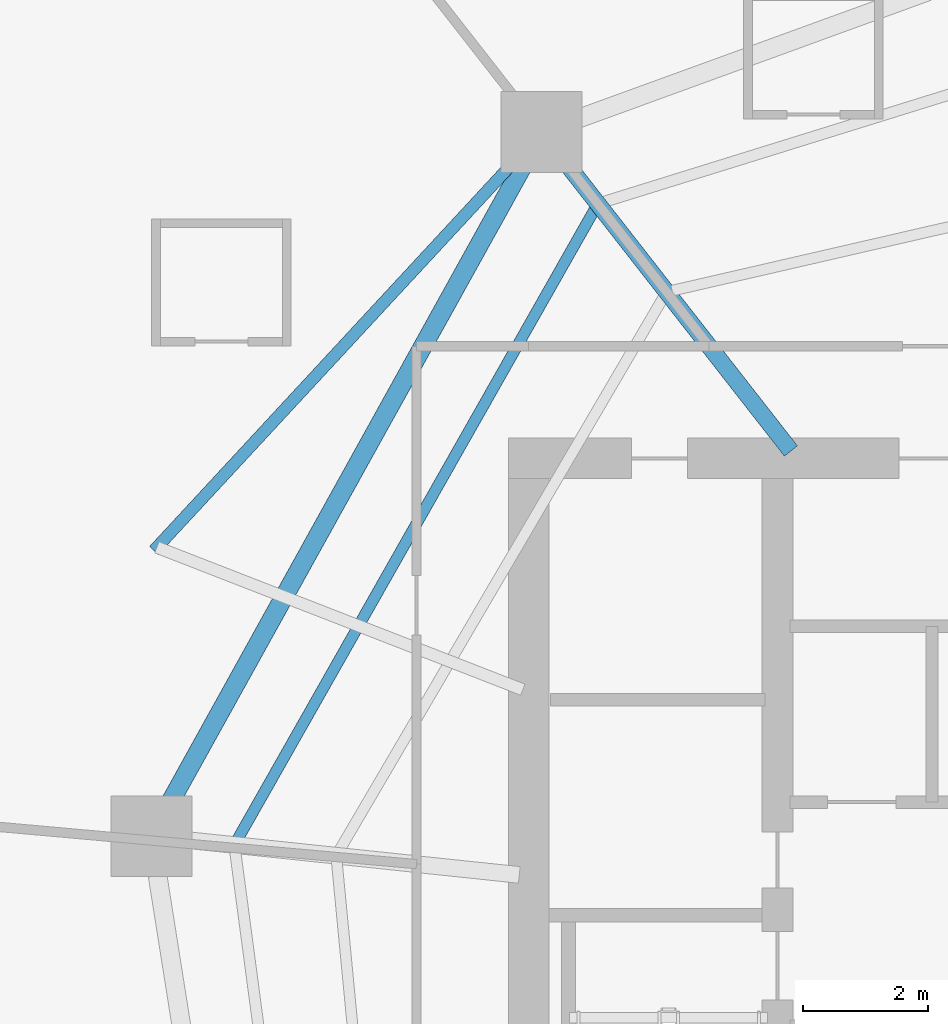
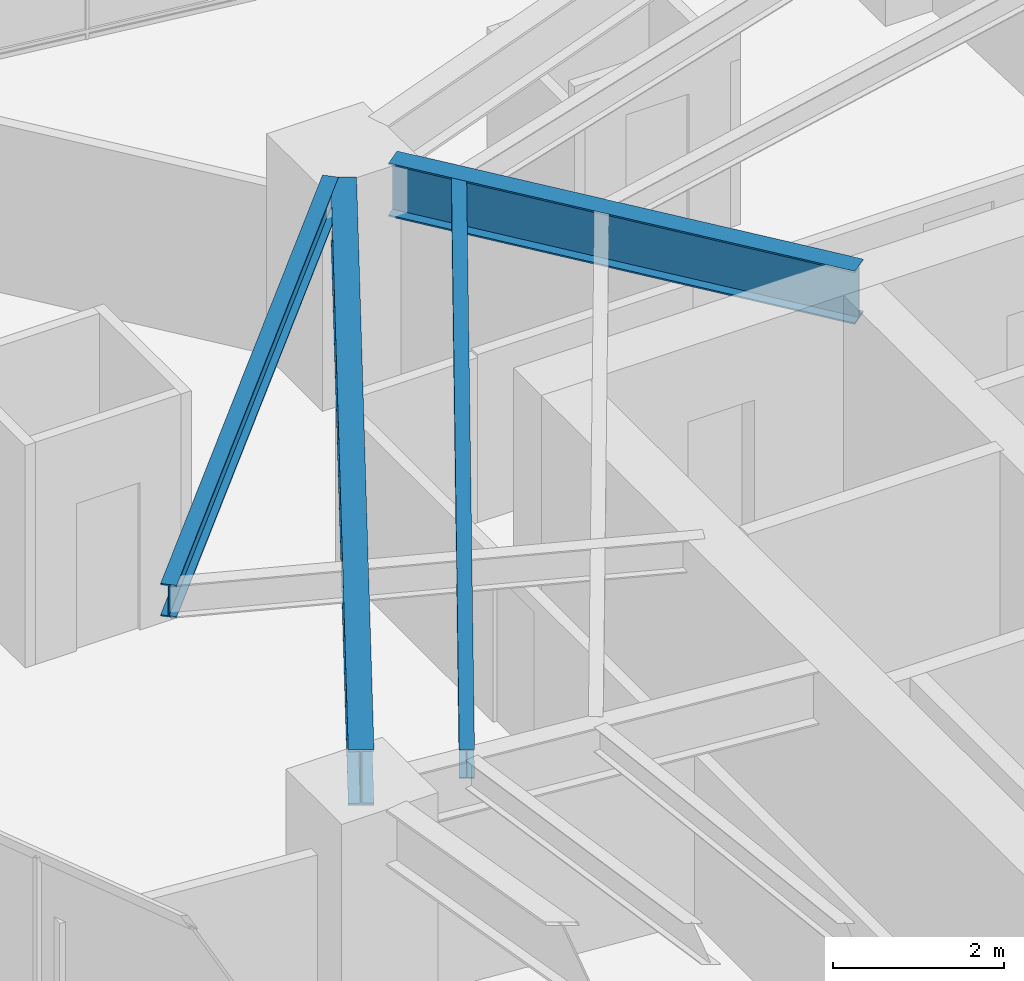
# One storey, part 17 of 32: 4 beams.
"""IFC4 building model written with IfcOpenShell, lengths in metres."""

from ifc_helpers import new_model, si_unit, direction, frame, origin, origin_2d, place, context, subcontext, project, spatial, i_section, extrude, material, material_profile, profile_set, type_object, element, save


model = new_model("IFC4")

# Units and contexts
model_context = context("Model", 3, precision=1e-05, world=origin(), true_north=direction((0.0, 1.0)))
body_context = subcontext(model_context, "Body", "Model", "MODEL_VIEW")
ifc_project = project(units=[si_unit("LENGTHUNIT", "METRE"), si_unit("AREAUNIT", "SQUARE_METRE"), si_unit("VOLUMEUNIT", "CUBIC_METRE"), si_unit("PLANEANGLEUNIT", "RADIAN"), si_unit("MASSUNIT", "GRAM", prefix="KILO")], contexts=[model_context])

# Site, building, storey
site_placement = place(None, origin())
site = spatial("IfcSite", under=ifc_project, at=site_placement, CompositionType="ELEMENT")
building_placement = place(site_placement, origin())
building = spatial("IfcBuilding", under=site, at=building_placement, Name="Qarnah Convention Tower", CompositionType="ELEMENT")
storey_placement = place(building_placement, frame((0.0, 0.0, 37.35009765625)))
storey = spatial("IfcBuildingStorey", under=building, at=storey_placement, Name="L08", CompositionType="ELEMENT", Elevation=37.35009765625)

# Beams
ifc_material = material(Name="Structural steel S355JR", Category="steel")
ifc_material_profile_1 = material_profile(ifc_material, i_section(OverallWidth=0.19189453125, OverallDepth=0.464111328125, WebThickness=0.010986328125, FlangeThickness=0.01806640625, at=origin_2d()), Name="W460X89")
ifc_profile_set_1 = profile_set([ifc_material_profile_1], Name="Structural steel S355JR")
beam_type_1 = type_object("IfcBeamType", Name="BM-CANT-W460A", PredefinedType="BEAM", material=ifc_profile_set_1)
beam_1_placement = place(storey_placement, frame((20.782958984375, 32.719970703125, 2.93798828125), z_axis=(0.679611332191, 0.733572380313, 0.0), x_axis=(-0.733572380313, 0.679611332191, 0.0)))
element("IfcBeam", 1, at=beam_1_placement, inside=storey, type_object=beam_type_1, Name="L08 spandrel BM-L08-CTIE-02", PredefinedType="SPANDREL", context=body_context, shape_type="SweptSolid", body=[
    extrude(i_section(OverallWidth=0.19189453125, OverallDepth=0.464111328125, WebThickness=0.010986328125, FlangeThickness=0.01806640625, at=origin_2d()), origin(), (0.0, 0.0, 1.0), 8.52392578125),
])
ifc_material_profile_2 = material_profile(ifc_material, i_section(OverallWidth=0.177978515625, OverallDepth=0.407958984375, WebThickness=0.008056640625, FlangeThickness=0.012939453125, at=origin_2d()), Name="W410X60")
ifc_profile_set_2 = profile_set([ifc_material_profile_2], Name="Structural steel S355JR")
beam_type_2 = type_object("IfcBeamType", Name="BM-JST-W410", PredefinedType="JOIST", material=ifc_profile_set_2)
beam_2_placement = place(storey_placement, frame((27.867919921875, 38.2109375, 2.9658203125), z_axis=(-0.493168421993, -0.869933852399, 0.0), x_axis=(0.869933852399, -0.493168421993, 0.0)))
element("IfcBeam", 2, at=beam_2_placement, inside=storey, type_object=beam_type_2, Name="L08 joist BM-L08-SJST-04", PredefinedType="JOIST", context=body_context, shape_type="SweptSolid", body=[
    extrude(i_section(OverallWidth=0.177978515625, OverallDepth=0.407958984375, WebThickness=0.008056640625, FlangeThickness=0.012939453125, at=origin_2d()), origin(), (0.0, 0.0, 1.0), 11.659423828125),
])
ifc_material_profile_3 = material_profile(ifc_material, i_section(OverallWidth=0.26806640625, OverallDepth=0.760009765625, WebThickness=0.014892578125, FlangeThickness=0.02197265625, at=origin_2d()), Name="W760X185")
ifc_profile_set_3 = profile_set([ifc_material_profile_3], Name="Structural steel S355JR")
beam_type_3 = type_object("IfcBeamType", Name="BM-RAD-W760", PredefinedType="BEAM", material=ifc_profile_set_3)
beam_3_placement = place(storey_placement, frame((31.013916015625, 34.318115234375, 2.789794921875), z_axis=(-0.61558272574, 0.78807227319, 0.0), x_axis=(-0.78807227319, -0.61558272574, 0.0)))
element("IfcBeam", 3, at=beam_3_placement, inside=storey, type_object=beam_type_3, Name="L08 beam BM-L08-RAD-04", PredefinedType="BEAM", context=body_context, shape_type="SweptSolid", body=[
    extrude(i_section(OverallWidth=0.26806640625, OverallDepth=0.760009765625, WebThickness=0.014892578125, FlangeThickness=0.02197265625, at=origin_2d()), origin(), (0.0, 0.0, 1.0), 5.87255859375),
])
ifc_material_profile_4 = material_profile(ifc_material, i_section(OverallWidth=0.300048828125, OverallDepth=0.800048828125, WebThickness=0.01806640625, FlangeThickness=0.032958984375, at=origin_2d()), Name="HEB800")
ifc_profile_set_4 = profile_set([ifc_material_profile_4], Name="Structural steel S355JR")
beam_type_4 = type_object("IfcBeamType", Name="BM-RING-HEB800", PredefinedType="BEAM", material=ifc_profile_set_4)
beam_4_placement = place(storey_placement, frame((26.700927734375, 38.882080078125, 2.77001953125), z_axis=(-0.484829813426, -0.874608513572, 0.0), x_axis=(0.874608513572, -0.484829813426, 0.0)))
element("IfcBeam", 4, at=beam_4_placement, inside=storey, type_object=beam_type_4, Name="L08 beam BM-L08-SPN-04", PredefinedType="BEAM", context=body_context, shape_type="SweptSolid", body=[
    extrude(i_section(OverallWidth=0.300048828125, OverallDepth=0.800048828125, WebThickness=0.01806640625, FlangeThickness=0.032958984375, at=origin_2d()), origin(), (0.0, 0.0, 1.0), 11.6533203125),
])

save(model, "model.ifc")
